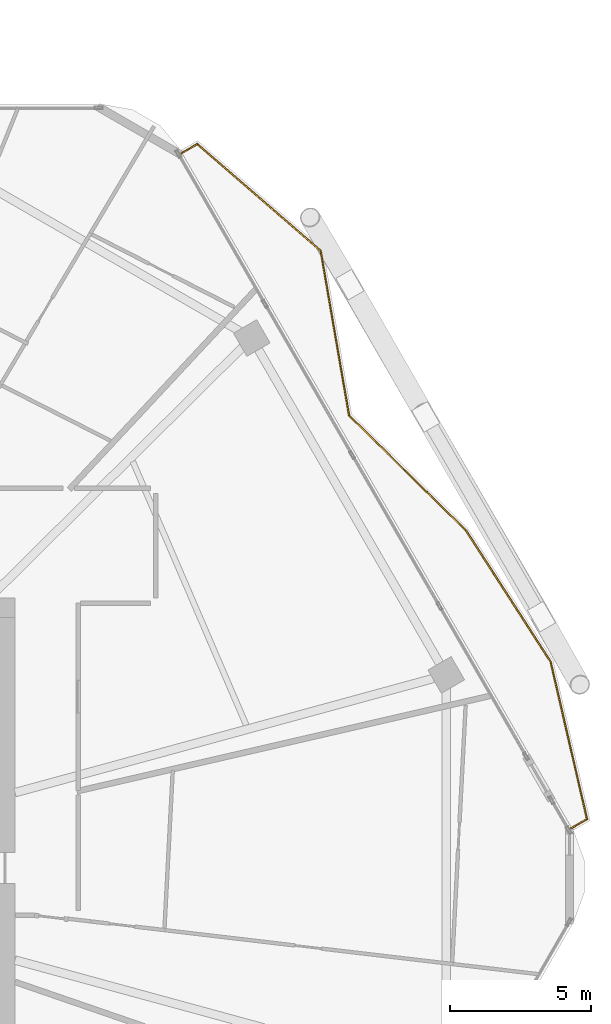
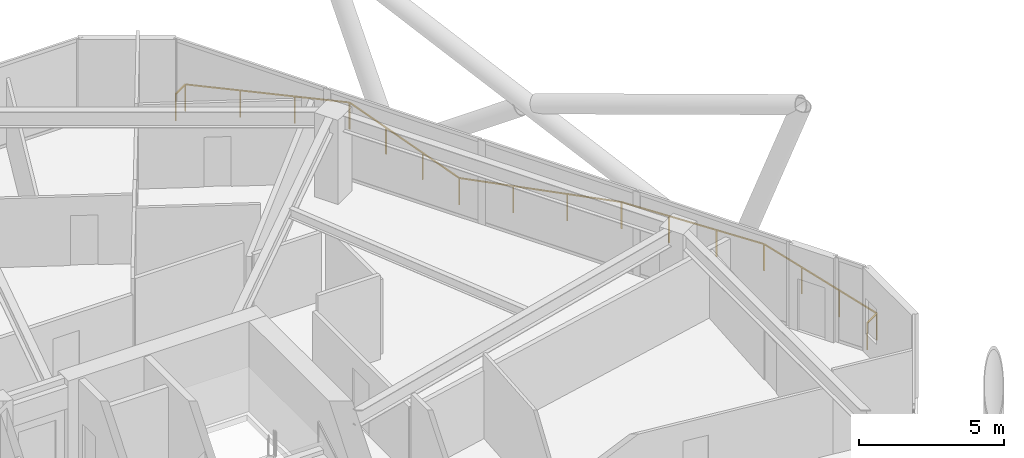
# One storey, part 27 of 27: 1 railing.
"""IFC4 building model written with IfcOpenShell, lengths in metres."""

from ifc_helpers import new_model, si_unit, direction, frame, origin, origin_2d, place, context, subcontext, project, spatial, rectangle, extrude, material, type_object, element, save


model = new_model("IFC4")

# Units and contexts
model_context = context("Model", 3, precision=1e-05, world=origin(), true_north=direction((0.0, 1.0)))
body_context = subcontext(model_context, "Body", "Model", "MODEL_VIEW")
ifc_project = project(units=[si_unit("LENGTHUNIT", "METRE"), si_unit("AREAUNIT", "SQUARE_METRE"), si_unit("VOLUMEUNIT", "CUBIC_METRE"), si_unit("PLANEANGLEUNIT", "RADIAN"), si_unit("MASSUNIT", "GRAM", prefix="KILO")], contexts=[model_context])

# Site, building, storey
site_placement = place(None, origin())
site = spatial("IfcSite", under=ifc_project, at=site_placement, CompositionType="ELEMENT")
building_placement = place(site_placement, origin())
building = spatial("IfcBuilding", under=site, at=building_placement, Name="Zuhravey Tower", CompositionType="ELEMENT")
storey_placement = place(building_placement, frame((0.0, 0.0, 215.0)))
storey = spatial("IfcBuildingStorey", under=building, at=storey_placement, Name="L54", CompositionType="ELEMENT", Elevation=215.0)

# Railing
ifc_material = material(Name="Stainless steel 316 and laminated glass", Category="steel")
railing_type = type_object("IfcRailingType", Name="Balcony & Terrace Guardrail 1150", PredefinedType="BALUSTRADE", material=ifc_material)
railing_placement = place(storey_placement, frame((52.719970703125, 57.576416015625, 0.0)))
element("IfcRailing", 1, at=railing_placement, inside=storey, type_object=railing_type, Name="L54 Face 1 Wave Balcony Guardrail GR1", PredefinedType="BALUSTRADE", context=body_context, shape_type="SweptSolid", body=[
    extrude(rectangle(XDim=0.048095703125, YDim=0.048095703125, at=origin_2d()), frame((0.001708984375, 0.0009765625, 1.1259765625), z_axis=(0.865942374699, 0.500143783026, 0.0), x_axis=(-0.500143783026, 0.865942374699, 0.0)), (0.0, 0.0, 1.0), 0.664794921875),
    extrude(rectangle(XDim=0.048095703125, YDim=0.048095703125, at=origin_2d()), frame((0.58056640625, 0.333251953125, 1.1259765625), z_axis=(0.755915092406, -0.654669667139, 0.0), x_axis=(0.654669667139, 0.755915092406, 0.0)), (0.0, 0.0, 1.0), 5.768798828125),
    extrude(rectangle(XDim=0.048095703125, YDim=0.048095703125, at=origin_2d()), frame((4.943115234375, -3.44677734375, 1.1259765625), z_axis=(0.170210903262, -0.985407655953, 0.0), x_axis=(0.985407655953, 0.170210903262, 0.0)), (0.0, 0.0, 1.0), 5.91259765625),
    extrude(rectangle(XDim=0.048095703125, YDim=0.048095703125, at=origin_2d()), frame((5.951416015625, -9.276611328125, 1.1259765625), z_axis=(0.713489582737, -0.700665837133, 0.0), x_axis=(0.700665837133, 0.713489582737, 0.0)), (0.0, 0.0, 1.0), 5.78369140625),
    extrude(rectangle(XDim=0.048095703125, YDim=0.048095703125, at=origin_2d()), frame((10.080322265625, -13.33203125, 1.1259765625), z_axis=(0.542032406783, -0.840357584601, 0.0), x_axis=(0.840357584601, 0.542032406783, 0.0)), (0.0, 0.0, 1.0), 5.52978515625),
    extrude(rectangle(XDim=0.048095703125, YDim=0.048095703125, at=origin_2d()), frame((13.079345703125, -17.982666015625, 1.1259765625), z_axis=(0.225227453724, -0.974306211665, 0.0), x_axis=(0.974306211665, 0.225227453724, 0.0)), (0.0, 0.0, 1.0), 5.7138671875),
    extrude(rectangle(XDim=0.048095703125, YDim=0.048095703125, at=origin_2d()), frame((14.364990234375, -23.552734375, 1.1259765625), z_axis=(-0.86597798544, -0.50008212199, 0.0), x_axis=(0.50008212199, -0.86597798544, 0.0)), (0.0, 0.0, 1.0), 0.661865234375),
    extrude(rectangle(XDim=0.0419921875, YDim=0.0419921875, at=origin_2d()), origin(), (0.0, 0.0, 1.0), 1.099853515625),
    extrude(rectangle(XDim=0.0419921875, YDim=0.0419921875, at=origin_2d()), frame((0.5791015625, 0.33447265625, 0.0)), (0.0, 0.0, 1.0), 1.099853515625),
    extrude(rectangle(XDim=0.0419921875, YDim=0.0419921875, at=origin_2d()), frame((2.03369140625, -0.92529296875, 0.0)), (0.0, 0.0, 1.0), 1.099853515625),
    extrude(rectangle(XDim=0.0419921875, YDim=0.0419921875, at=origin_2d()), frame((3.48828125, -2.18505859375, 0.0)), (0.0, 0.0, 1.0), 1.099853515625),
    extrude(rectangle(XDim=0.0419921875, YDim=0.0419921875, at=origin_2d()), frame((4.94287109375, -3.44482421875, 0.0)), (0.0, 0.0, 1.0), 1.099853515625),
    extrude(rectangle(XDim=0.0419921875, YDim=0.0419921875, at=origin_2d()), frame((5.278564453125, -5.38818359375, 0.0)), (0.0, 0.0, 1.0), 1.099853515625),
    extrude(rectangle(XDim=0.0419921875, YDim=0.0419921875, at=origin_2d()), frame((5.6142578125, -7.331787109375, 0.0)), (0.0, 0.0, 1.0), 1.099853515625),
    extrude(rectangle(XDim=0.0419921875, YDim=0.0419921875, at=origin_2d()), frame((5.949951171875, -9.275146484375, 0.0)), (0.0, 0.0, 1.0), 1.099853515625),
    extrude(rectangle(XDim=0.0419921875, YDim=0.0419921875, at=origin_2d()), frame((7.326416015625, -10.626953125, 0.0)), (0.0, 0.0, 1.0), 1.099853515625),
    extrude(rectangle(XDim=0.0419921875, YDim=0.0419921875, at=origin_2d()), frame((8.702880859375, -11.978515625, 0.0)), (0.0, 0.0, 1.0), 1.099853515625),
    extrude(rectangle(XDim=0.0419921875, YDim=0.0419921875, at=origin_2d()), frame((10.079345703125, -13.330322265625, 0.0)), (0.0, 0.0, 1.0), 1.099853515625),
    extrude(rectangle(XDim=0.0419921875, YDim=0.0419921875, at=origin_2d()), frame((11.0791015625, -14.88037109375, 0.0)), (0.0, 0.0, 1.0), 1.099853515625),
    extrude(rectangle(XDim=0.0419921875, YDim=0.0419921875, at=origin_2d()), frame((12.0791015625, -16.4306640625, 0.0)), (0.0, 0.0, 1.0), 1.099853515625),
    extrude(rectangle(XDim=0.0419921875, YDim=0.0419921875, at=origin_2d()), frame((13.078857421875, -17.980712890625, 0.0)), (0.0, 0.0, 1.0), 1.099853515625),
    extrude(rectangle(XDim=0.0419921875, YDim=0.0419921875, at=origin_2d()), frame((13.508056640625, -19.837646484375, 0.0)), (0.0, 0.0, 1.0), 1.099853515625),
    extrude(rectangle(XDim=0.0419921875, YDim=0.0419921875, at=origin_2d()), frame((13.9375, -21.69482421875, 0.0)), (0.0, 0.0, 1.0), 1.099853515625),
    extrude(rectangle(XDim=0.0419921875, YDim=0.0419921875, at=origin_2d()), frame((14.36669921875, -23.5517578125, 0.0)), (0.0, 0.0, 1.0), 1.099853515625),
    extrude(rectangle(XDim=0.0419921875, YDim=0.0419921875, at=origin_2d()), frame((13.7900390625, -23.884765625, 0.0)), (0.0, 0.0, 1.0), 1.099853515625),
])

save(model, "model.ifc")
